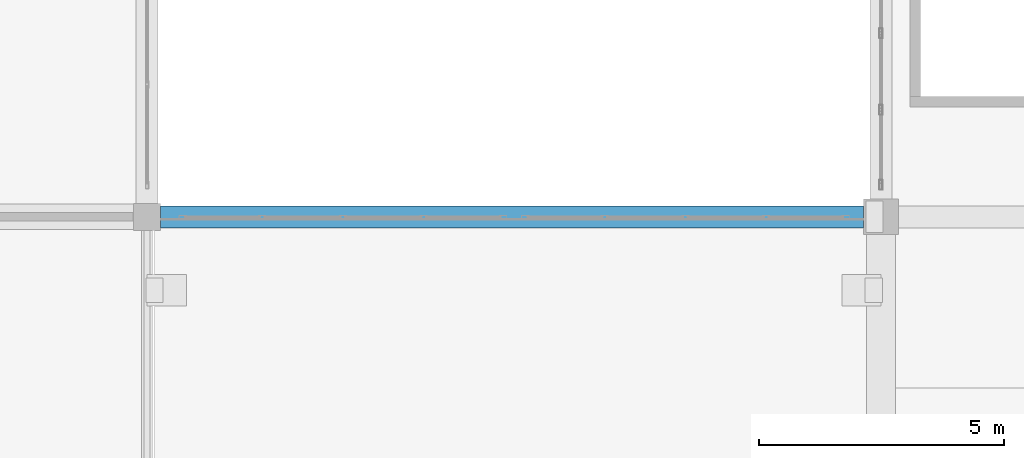
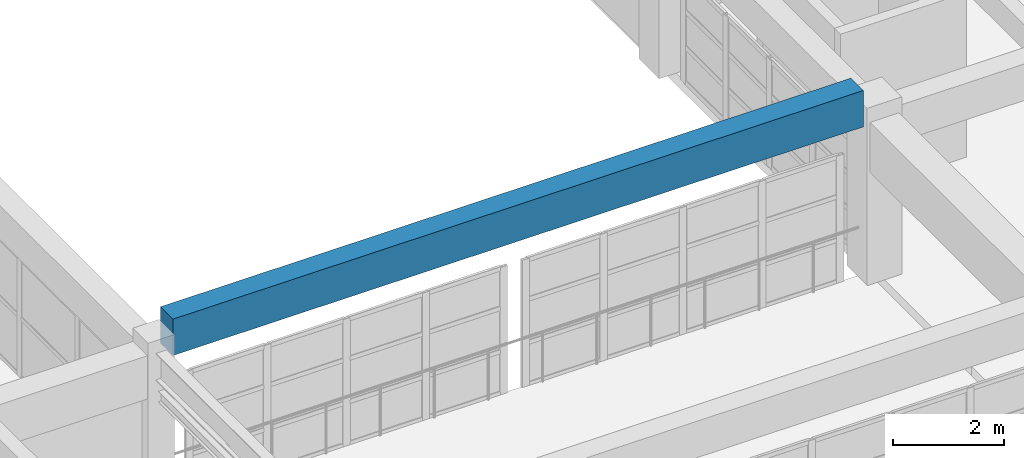
# One storey, part 32 of 101: 1 beam.
"""IFC4 building model written with IfcOpenShell, lengths in metres."""

from ifc_helpers import new_model, si_unit, direction, frame, origin, origin_2d, place, context, subcontext, project, spatial, rectangle, extrude, material, material_profile, profile_set, type_object, element, save


model = new_model("IFC4")

# Units and contexts
model_context = context("Model", 3, precision=1e-05, world=origin(), true_north=direction((0.0, 1.0)))
body_context = subcontext(model_context, "Body", "Model", "MODEL_VIEW")
ifc_project = project(units=[si_unit("LENGTHUNIT", "METRE"), si_unit("AREAUNIT", "SQUARE_METRE"), si_unit("VOLUMEUNIT", "CUBIC_METRE"), si_unit("PLANEANGLEUNIT", "RADIAN"), si_unit("MASSUNIT", "GRAM", prefix="KILO")], contexts=[model_context])

# Site, building, storey
site_placement = place(None, origin())
site = spatial("IfcSite", under=ifc_project, at=site_placement, CompositionType="ELEMENT")
building_placement = place(site_placement, origin())
building = spatial("IfcBuilding", under=site, at=building_placement, Name="Qasida Concert Hall", CompositionType="ELEMENT")
storey_placement = place(building_placement, frame((0.0, 0.0, 13.199951171875)))
storey = spatial("IfcBuildingStorey", under=building, at=storey_placement, Name="L03", CompositionType="ELEMENT", Elevation=13.199951171875)

# Beam
ifc_material = material(Name="Concrete C40/50", Category="concrete")
ifc_material_profile = material_profile(ifc_material, rectangle(XDim=0.449951171875, YDim=0.800048828125, at=origin_2d()), Name="RC 450x800")
ifc_profile_set = profile_set([ifc_material_profile], Name="Concrete C40/50")
beam_type = type_object("IfcBeamType", Name="BM-G2", PredefinedType="USERDEFINED", material=ifc_profile_set)
beam_placement = place(storey_placement, frame((37.77490234375, 37.5, 3.81005859375), z_axis=(1.0, 0.0, 0.0), x_axis=(0.0, 1.0, 0.0)))
element("IfcBeam", 1, at=beam_placement, inside=storey, type_object=beam_type, Name="Link bridge V3-V1 roof girder 02", ObjectType="GIRDER", PredefinedType="USERDEFINED", context=body_context, shape_type="SweptSolid", body=[
    extrude(rectangle(XDim=0.449951171875, YDim=0.800048828125, at=origin_2d()), origin(), (0.0, 0.0, 1.0), 14.364990234375),
])

save(model, "model.ifc")
